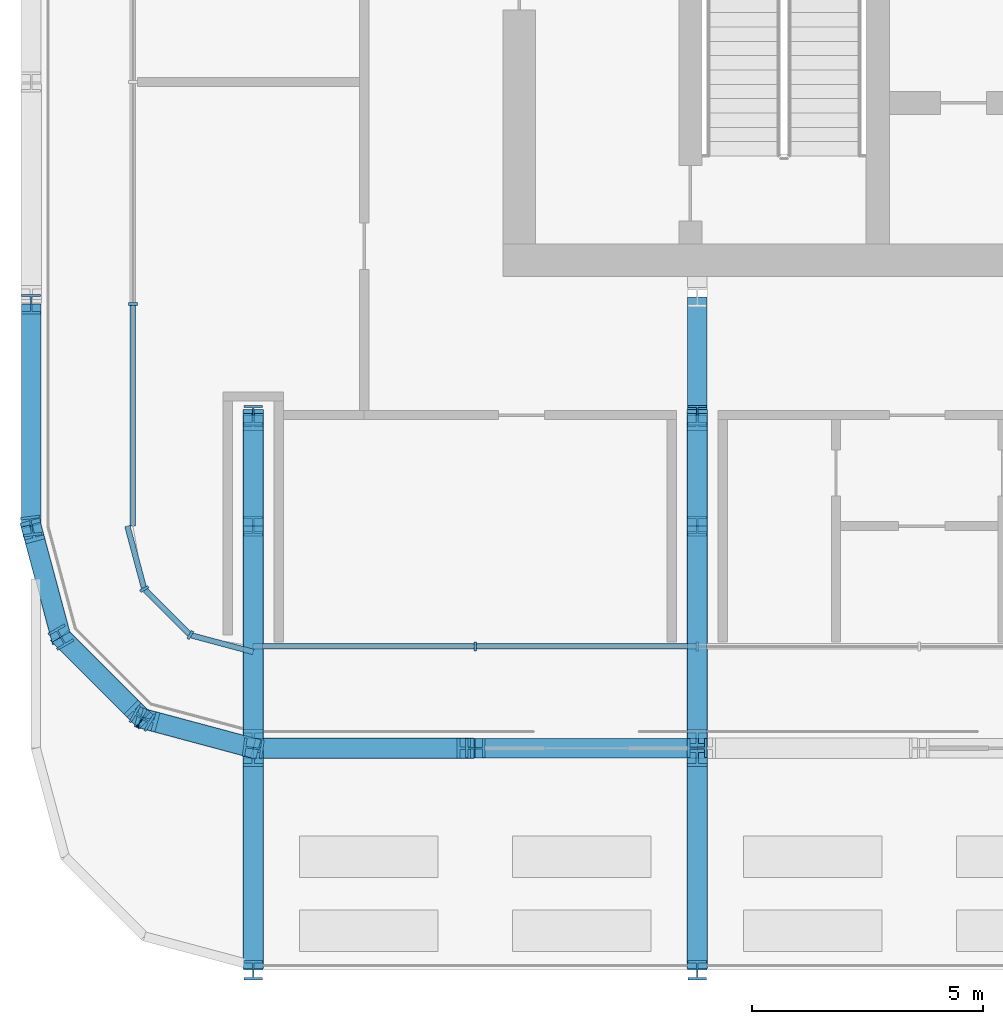
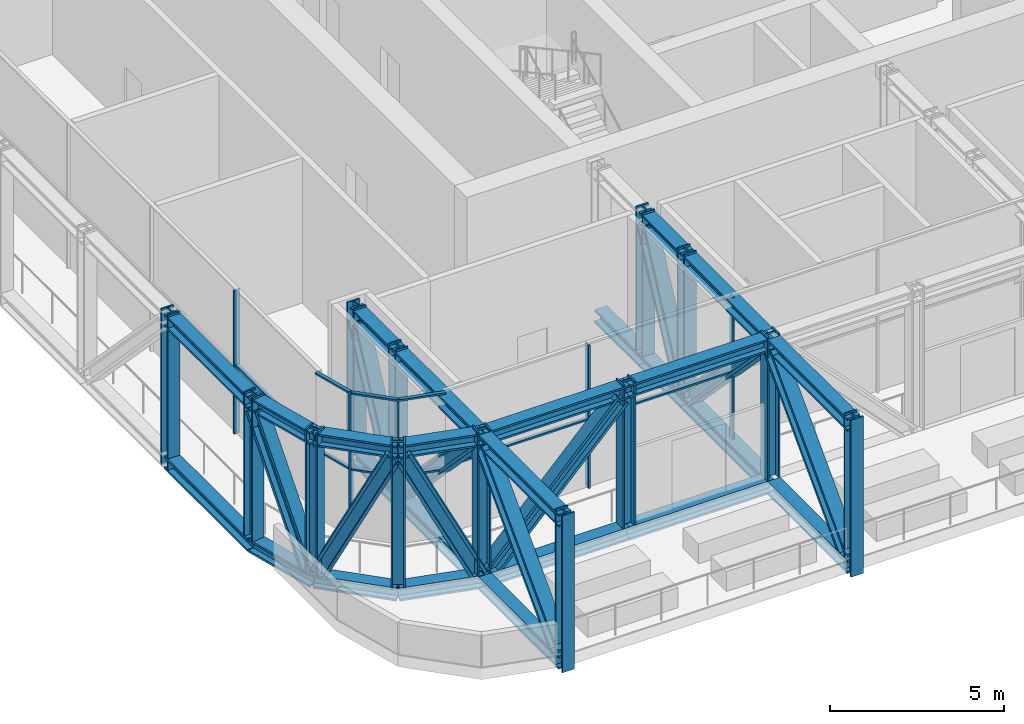
# One storey, part 1 of 22: 62 members, 3 elements without a shape of their own.
"""IFC4 building model written with IfcOpenShell, lengths in metres."""

from ifc_helpers import new_model, si_unit, direction, frame, origin, origin_2d, place, context, subcontext, project, spatial, rectangle, i_section, extrude, material, layer, layer_set, material_profile, profile_set, type_object, element, aggregate, save


model = new_model("IFC4")

# Units and contexts
model_context = context("Model", 3, precision=1e-05, world=origin(), true_north=direction((0.0, 1.0)))
body_context = subcontext(model_context, "Body", "Model", "MODEL_VIEW")
ifc_project = project(units=[si_unit("LENGTHUNIT", "METRE"), si_unit("AREAUNIT", "SQUARE_METRE"), si_unit("VOLUMEUNIT", "CUBIC_METRE"), si_unit("PLANEANGLEUNIT", "RADIAN"), si_unit("MASSUNIT", "GRAM", prefix="KILO")], contexts=[model_context])

# Site, building, storey
site_placement = place(None, origin())
site = spatial("IfcSite", under=ifc_project, at=site_placement, CompositionType="ELEMENT")
building_placement = place(site_placement, origin())
building = spatial("IfcBuilding", under=site, at=building_placement, Name="Madar Terraces", CompositionType="ELEMENT")
storey_placement = place(building_placement, frame((0.0, 0.0, 203.39990234375)))
storey = spatial("IfcBuildingStorey", under=building, at=storey_placement, Name="L53", CompositionType="ELEMENT", Elevation=203.39990234375)

# Members
ifc_material_1 = material(Name="Steel ASTM A992 Grade 50", Category="steel")
ifc_material_profile_1 = material_profile(ifc_material_1, i_section(OverallWidth=0.421630859375, OverallDepth=0.46484375, WebThickness=0.044921875, FlangeThickness=0.072509765625, at=origin_2d()), Name="W14x398")
ifc_profile_set_1 = profile_set([ifc_material_profile_1], Name="Steel ASTM A992 Grade 50")
member_type_1 = type_object("IfcMemberType", Name="BC7 W14x398", PredefinedType="CHORD", material=ifc_profile_set_1)
member_1_placement = place(storey_placement, frame((9.60009765625, 4.800048828125, -0.1875), z_axis=(1.0, 0.0, 0.0), x_axis=(0.0, 1.0, 0.0)))
element("IfcMember", 1, at=member_1_placement, inside=storey, type_object=member_type_1, Name="Exoskeleton truss ring bottom chord BC7", PredefinedType="CHORD", context=body_context, shape_type="SweptSolid", body=[
    extrude(i_section(OverallWidth=0.421630859375, OverallDepth=0.46484375, WebThickness=0.044921875, FlangeThickness=0.072509765625, at=origin_2d()), origin(), (0.0, 0.0, 1.0), 4.7998046875),
])
member_2_placement = place(storey_placement, frame((14.39990234375, 4.800048828125, -0.1875), z_axis=(1.0, 0.0, 0.0), x_axis=(0.0, 1.0, 0.0)))
element("IfcMember", 2, at=member_2_placement, inside=storey, type_object=member_type_1, Name="Exoskeleton truss ring bottom chord BC7", PredefinedType="CHORD", context=body_context, shape_type="SweptSolid", body=[
    extrude(i_section(OverallWidth=0.421630859375, OverallDepth=0.46484375, WebThickness=0.044921875, FlangeThickness=0.072509765625, at=origin_2d()), origin(), (0.0, 0.0, 1.0), 4.800048828125),
])
member_3_placement = place(storey_placement, frame((4.800048828125, 14.39990234375, -0.1875), z_axis=(0.0, -1.0, 0.0), x_axis=(1.0, 0.0, 0.0)))
element("IfcMember", 3, at=member_3_placement, inside=storey, type_object=member_type_1, Name="Exoskeleton truss ring bottom chord BC7", PredefinedType="CHORD", context=body_context, shape_type="SweptSolid", body=[
    extrude(i_section(OverallWidth=0.421630859375, OverallDepth=0.46484375, WebThickness=0.044921875, FlangeThickness=0.072509765625, at=origin_2d()), origin(), (0.0, 0.0, 1.0), 4.7998046875),
])
member_4_placement = place(storey_placement, frame((4.800048828125, 9.60009765625, -0.1875), z_axis=(0.258799930484, -0.965930947833, 0.0), x_axis=(0.965930947833, 0.258799930484, 0.0)))
element("IfcMember", 4, at=member_4_placement, inside=storey, type_object=member_type_1, Name="Exoskeleton truss ring bottom chord BC7", PredefinedType="CHORD", context=body_context, shape_type="SweptSolid", body=[
    extrude(i_section(OverallWidth=0.421630859375, OverallDepth=0.46484375, WebThickness=0.044921875, FlangeThickness=0.072509765625, at=origin_2d()), origin(), (0.0, 0.0, 1.0), 2.48486328125),
])
member_5_placement = place(storey_placement, frame((5.443115234375, 7.199951171875, -0.1875), z_axis=(0.707106781187, -0.707106781187, 0.0), x_axis=(0.707106781187, 0.707106781187, 0.0)))
element("IfcMember", 5, at=member_5_placement, inside=storey, type_object=member_type_1, Name="Exoskeleton truss ring bottom chord BC7", PredefinedType="CHORD", context=body_context, shape_type="SweptSolid", body=[
    extrude(i_section(OverallWidth=0.421630859375, OverallDepth=0.46484375, WebThickness=0.044921875, FlangeThickness=0.072509765625, at=origin_2d()), origin(), (0.0, 0.0, 1.0), 2.484619140625),
])
member_6_placement = place(storey_placement, frame((7.199951171875, 5.443115234375, -0.1875), z_axis=(0.965930947833, -0.258799930484, 0.0), x_axis=(0.258799930484, 0.965930947833, 0.0)))
element("IfcMember", 6, at=member_6_placement, inside=storey, type_object=member_type_1, Name="Exoskeleton truss ring bottom chord BC7", PredefinedType="CHORD", context=body_context, shape_type="SweptSolid", body=[
    extrude(i_section(OverallWidth=0.421630859375, OverallDepth=0.46484375, WebThickness=0.044921875, FlangeThickness=0.072509765625, at=origin_2d()), origin(), (0.0, 0.0, 1.0), 2.48486328125),
])
member_7_placement = place(storey_placement, frame((9.60009765625, 0.0, -0.1875), z_axis=(0.0, 1.0, 0.0), x_axis=(-1.0, 0.0, 0.0)))
element("IfcMember", 7, at=member_7_placement, inside=storey, type_object=member_type_1, Name="Exoskeleton truss cross S9.6 bottom chord BC7", PredefinedType="CHORD", context=body_context, shape_type="SweptSolid", body=[
    extrude(i_section(OverallWidth=0.421630859375, OverallDepth=0.46484375, WebThickness=0.044921875, FlangeThickness=0.072509765625, at=origin_2d()), origin(), (0.0, 0.0, 1.0), 4.589111328125),
])
member_8_placement = place(storey_placement, frame((9.60009765625, 5.0107421875, -0.1875), z_axis=(0.0, 1.0, 0.0), x_axis=(-1.0, 0.0, 0.0)))
element("IfcMember", 8, at=member_8_placement, inside=storey, type_object=member_type_1, Name="Exoskeleton truss cross S9.6 bottom chord BC7", PredefinedType="CHORD", context=body_context, shape_type="SweptSolid", body=[
    extrude(i_section(OverallWidth=0.421630859375, OverallDepth=0.46484375, WebThickness=0.044921875, FlangeThickness=0.072509765625, at=origin_2d()), origin(), (0.0, 0.0, 1.0), 4.58935546875),
])
member_9_placement = place(storey_placement, frame((9.60009765625, 9.60009765625, -0.1875), z_axis=(0.0, 1.0, 0.0), x_axis=(-1.0, 0.0, 0.0)))
element("IfcMember", 9, at=member_9_placement, inside=storey, type_object=member_type_1, Name="Exoskeleton truss cross S9.6 bottom chord BC7", PredefinedType="CHORD", context=body_context, shape_type="SweptSolid", body=[
    extrude(i_section(OverallWidth=0.421630859375, OverallDepth=0.46484375, WebThickness=0.044921875, FlangeThickness=0.072509765625, at=origin_2d()), origin(), (0.0, 0.0, 1.0), 2.39990234375),
])
member_10_placement = place(storey_placement, frame((19.199951171875, 0.0, -0.1875), z_axis=(0.0, 1.0, 0.0), x_axis=(-1.0, 0.0, 0.0)))
element("IfcMember", 10, at=member_10_placement, inside=storey, type_object=member_type_1, Name="Exoskeleton truss cross S19.2 bottom chord BC7", PredefinedType="CHORD", context=body_context, shape_type="SweptSolid", body=[
    extrude(i_section(OverallWidth=0.421630859375, OverallDepth=0.46484375, WebThickness=0.044921875, FlangeThickness=0.072509765625, at=origin_2d()), origin(), (0.0, 0.0, 1.0), 4.589111328125),
])
member_11_placement = place(storey_placement, frame((19.199951171875, 5.0107421875, -0.1875), z_axis=(0.0, 1.0, 0.0), x_axis=(-1.0, 0.0, 0.0)))
element("IfcMember", 11, at=member_11_placement, inside=storey, type_object=member_type_1, Name="Exoskeleton truss cross S19.2 bottom chord BC7", PredefinedType="CHORD", context=body_context, shape_type="SweptSolid", body=[
    extrude(i_section(OverallWidth=0.421630859375, OverallDepth=0.46484375, WebThickness=0.044921875, FlangeThickness=0.072509765625, at=origin_2d()), origin(), (0.0, 0.0, 1.0), 4.58935546875),
])
member_12_placement = place(storey_placement, frame((19.199951171875, 9.60009765625, -0.1875), z_axis=(0.0, 1.0, 0.0), x_axis=(-1.0, 0.0, 0.0)))
element("IfcMember", 12, at=member_12_placement, inside=storey, type_object=member_type_1, Name="Exoskeleton truss cross S19.2 bottom chord BC7", PredefinedType="CHORD", context=body_context, shape_type="SweptSolid", body=[
    extrude(i_section(OverallWidth=0.421630859375, OverallDepth=0.46484375, WebThickness=0.044921875, FlangeThickness=0.072509765625, at=origin_2d()), origin(), (0.0, 0.0, 1.0), 2.39990234375),
])
member_13_placement = place(storey_placement, frame((19.199951171875, 12.0, -0.1875), z_axis=(0.0, 1.0, 0.0), x_axis=(-1.0, 0.0, 0.0)))
element("IfcMember", 13, at=member_13_placement, inside=storey, type_object=member_type_1, Name="Exoskeleton truss cross S19.2 bottom chord BC7", PredefinedType="CHORD", context=body_context, shape_type="SweptSolid", body=[
    extrude(i_section(OverallWidth=0.421630859375, OverallDepth=0.46484375, WebThickness=0.044921875, FlangeThickness=0.072509765625, at=origin_2d()), origin(), (0.0, 0.0, 1.0), 2.550048828125),
])

# Curtain wall, members
ifc_material_2 = material(Name="Glass, ceramic frit dark grey, with black aluminium frame", Category="aluminium")
ifc_layer = layer(ifc_material_2, 0.199951171875)
ifc_layer_set = layer_set([ifc_layer], Name="Facade curtain wall, tall glazing")
curtain_wall_type = type_object("IfcCurtainWallType", Name="Facade curtain wall, tall glazing", PredefinedType="NOTDEFINED", material=ifc_layer_set)
curtain_wall_1_placement = place(storey_placement, origin())
curtain_wall_1 = element("IfcCurtainWall", 14, at=curtain_wall_1_placement, inside=storey, type_object=curtain_wall_type, Name="Outer skin curtain wall south bay 1", PredefinedType="NOTDEFINED")
ifc_material_3 = material(Name="Aluminium, black anodised", Category="aluminium")
ifc_material_profile_2 = material_profile(ifc_material_3, rectangle(XDim=0.199951171875, YDim=0.06005859375, at=origin_2d()), Name="Facade mullion 60x200")
ifc_profile_set_2 = profile_set([ifc_material_profile_2], Name="Aluminium, black anodised")
member_type_2 = type_object("IfcMemberType", Name="Facade mullion 60x200", PredefinedType="MULLION", material=ifc_profile_set_2)
member_14_placement = place(storey_placement, frame((14.39990234375, 7.0, 0.0), z_axis=(0.0, 0.0, 1.0), x_axis=(0.0, 1.0, 0.0)))
member_14 = element("IfcMember", 15, at=member_14_placement, type_object=member_type_2, Name="Mullion 1", PredefinedType="MULLION", context=body_context, shape_type="SweptSolid", body=[
    extrude(rectangle(XDim=0.199951171875, YDim=0.06005859375, at=origin_2d()), origin(), (0.0, 0.0, 1.0), 5.0400390625),
])
member_15_placement = place(storey_placement, frame((19.199951171875, 7.0, 0.0), z_axis=(0.0, 0.0, 1.0), x_axis=(0.0, 1.0, 0.0)))
member_15 = element("IfcMember", 16, at=member_15_placement, type_object=member_type_2, Name="Mullion 2", PredefinedType="MULLION", context=body_context, shape_type="SweptSolid", body=[
    extrude(rectangle(XDim=0.199951171875, YDim=0.06005859375, at=origin_2d()), origin(), (0.0, 0.0, 1.0), 5.0400390625),
])

# Curtain wall, member
curtain_wall_2_placement = place(storey_placement, origin())
curtain_wall_2 = element("IfcCurtainWall", 17, at=curtain_wall_2_placement, inside=storey, type_object=curtain_wall_type, Name="Outer skin curtain wall west bay 1", PredefinedType="NOTDEFINED")
member_16_placement = place(storey_placement, frame((7.0, 14.39990234375, 0.0), z_axis=(0.0, 0.0, 1.0), x_axis=(1.0, 0.0, 0.0)))
member_16 = element("IfcMember", 18, at=member_16_placement, type_object=member_type_2, Name="Mullion 7", PredefinedType="MULLION", context=body_context, shape_type="SweptSolid", body=[
    extrude(rectangle(XDim=0.199951171875, YDim=0.06005859375, at=origin_2d()), origin(), (0.0, 0.0, 1.0), 5.0400390625),
])

# Curtain wall, members
curtain_wall_3_placement = place(storey_placement, origin())
curtain_wall_3 = element("IfcCurtainWall", 19, at=curtain_wall_3_placement, inside=storey, type_object=curtain_wall_type, Name="Outer skin curtain wall south-west corner", PredefinedType="NOTDEFINED")
member_17_placement = place(storey_placement, frame((7.244384765625, 8.239990234375, 0.0), z_axis=(0.0, 0.0, 1.0), x_axis=(0.866025386925, 0.500000029202, 0.0)))
member_17 = element("IfcMember", 20, at=member_17_placement, type_object=member_type_2, Name="Mullion 1", PredefinedType="MULLION", context=body_context, shape_type="SweptSolid", body=[
    extrude(rectangle(XDim=0.199951171875, YDim=0.06005859375, at=origin_2d()), origin(), (0.0, 0.0, 1.0), 5.0400390625),
])
member_18_placement = place(storey_placement, frame((8.239990234375, 7.244384765625, 0.0), z_axis=(0.0, 0.0, 1.0), x_axis=(0.500000029202, 0.866025386925, 0.0)))
member_18 = element("IfcMember", 21, at=member_18_placement, type_object=member_type_2, Name="Mullion 2", PredefinedType="MULLION", context=body_context, shape_type="SweptSolid", body=[
    extrude(rectangle(XDim=0.199951171875, YDim=0.06005859375, at=origin_2d()), origin(), (0.0, 0.0, 1.0), 5.0400390625),
])

# Member
ifc_material_4 = material(Name="Aluminium, black anodised", Category="aluminium")
ifc_material_profile_3 = material_profile(ifc_material_4, rectangle(XDim=0.1201171875, YDim=0.06005859375, at=origin_2d()), Name="Facade transom 60x120")
ifc_profile_set_3 = profile_set([ifc_material_profile_3], Name="Aluminium, black anodised")
member_type_3 = type_object("IfcMemberType", Name="Facade transom 60x120", PredefinedType="USERDEFINED", material=ifc_profile_set_3)
member_19_placement = place(storey_placement, frame((9.60009765625, 7.0, 2.400146484375), z_axis=(1.0, 0.0, 0.0), x_axis=(0.0, 1.0, 0.0)))
member_19 = element("IfcMember", 22, at=member_19_placement, type_object=member_type_3, Name="Transom 2", ObjectType="TRANSOM", PredefinedType="USERDEFINED", context=body_context, shape_type="SweptSolid", body=[
    extrude(rectangle(XDim=0.1201171875, YDim=0.06005859375, at=origin_2d()), origin(), (0.0, 0.0, 1.0), 4.77001953125),
])

member_20_placement = place(storey_placement, frame((14.429931640625, 7.0, 2.400146484375), z_axis=(1.0, 0.0, 0.0), x_axis=(0.0, 1.0, 0.0)))
member_20 = element("IfcMember", 23, at=member_20_placement, type_object=member_type_3, Name="Transom 3", ObjectType="TRANSOM", PredefinedType="USERDEFINED", context=body_context, shape_type="SweptSolid", body=[
    extrude(rectangle(XDim=0.1201171875, YDim=0.06005859375, at=origin_2d()), origin(), (0.0, 0.0, 1.0), 4.739990234375),
])

aggregate(curtain_wall_1, [member_14, member_15, member_19, member_20])

member_21_placement = place(storey_placement, frame((7.0, 14.3701171875, 2.400146484375), z_axis=(0.0, -1.0, 0.0), x_axis=(1.0, 0.0, 0.0)))
member_21 = element("IfcMember", 24, at=member_21_placement, type_object=member_type_3, Name="Transom 11", ObjectType="TRANSOM", PredefinedType="USERDEFINED", context=body_context, shape_type="SweptSolid", body=[
    extrude(rectangle(XDim=0.1201171875, YDim=0.06005859375, at=origin_2d()), origin(), (0.0, 0.0, 1.0), 4.77001953125),
])

aggregate(curtain_wall_2, [member_16, member_21])

member_22_placement = place(storey_placement, frame((6.8798828125, 9.60009765625, 5.070068359375), z_axis=(0.258842352791, -0.965919580711, 0.0), x_axis=(0.965919580711, 0.258842352791, 0.0)))
member_22 = element("IfcMember", 25, at=member_22_placement, type_object=member_type_3, Name="Transom 1", ObjectType="TRANSOM", PredefinedType="USERDEFINED", context=body_context, shape_type="SweptSolid", body=[
    extrude(rectangle(XDim=0.1201171875, YDim=0.06005859375, at=origin_2d()), origin(), (0.0, 0.0, 1.0), 1.3779296875),
])

member_23_placement = place(storey_placement, frame((6.8798828125, 9.60009765625, 2.400146484375), z_axis=(0.258842352791, -0.965919580711, 0.0), x_axis=(0.965919580711, 0.258842352791, 0.0)))
member_23 = element("IfcMember", 26, at=member_23_placement, type_object=member_type_3, Name="Transom 2", ObjectType="TRANSOM", PredefinedType="USERDEFINED", context=body_context, shape_type="SweptSolid", body=[
    extrude(rectangle(XDim=0.1201171875, YDim=0.06005859375, at=origin_2d()), origin(), (0.0, 0.0, 1.0), 1.3779296875),
])

member_24_placement = place(storey_placement, frame((7.265625, 8.21875, 5.070068359375), z_axis=(0.707106781187, -0.707106781187, 0.0), x_axis=(0.707106781187, 0.707106781187, 0.0)))
member_24 = element("IfcMember", 27, at=member_24_placement, type_object=member_type_3, Name="Transom 3", ObjectType="TRANSOM", PredefinedType="USERDEFINED", context=body_context, shape_type="SweptSolid", body=[
    extrude(rectangle(XDim=0.1201171875, YDim=0.06005859375, at=origin_2d()), origin(), (0.0, 0.0, 1.0), 1.347900390625),
])

member_25_placement = place(storey_placement, frame((7.265625, 8.21875, 2.400146484375), z_axis=(0.707106781187, -0.707106781187, 0.0), x_axis=(0.707106781187, 0.707106781187, 0.0)))
member_25 = element("IfcMember", 28, at=member_25_placement, type_object=member_type_3, Name="Transom 4", ObjectType="TRANSOM", PredefinedType="USERDEFINED", context=body_context, shape_type="SweptSolid", body=[
    extrude(rectangle(XDim=0.1201171875, YDim=0.06005859375, at=origin_2d()), origin(), (0.0, 0.0, 1.0), 1.347900390625),
])

member_26_placement = place(storey_placement, frame((8.26904296875, 7.236572265625, 5.070068359375), z_axis=(0.965919580711, -0.258842352791, 0.0), x_axis=(0.258842352791, 0.965919580711, 0.0)))
member_26 = element("IfcMember", 29, at=member_26_placement, type_object=member_type_3, Name="Transom 5", ObjectType="TRANSOM", PredefinedType="USERDEFINED", context=body_context, shape_type="SweptSolid", body=[
    extrude(rectangle(XDim=0.1201171875, YDim=0.06005859375, at=origin_2d()), origin(), (0.0, 0.0, 1.0), 1.3779296875),
])

member_27_placement = place(storey_placement, frame((8.26904296875, 7.236572265625, 2.400146484375), z_axis=(0.965919580711, -0.258842352791, 0.0), x_axis=(0.258842352791, 0.965919580711, 0.0)))
member_27 = element("IfcMember", 30, at=member_27_placement, type_object=member_type_3, Name="Transom 6", ObjectType="TRANSOM", PredefinedType="USERDEFINED", context=body_context, shape_type="SweptSolid", body=[
    extrude(rectangle(XDim=0.1201171875, YDim=0.06005859375, at=origin_2d()), origin(), (0.0, 0.0, 1.0), 1.3779296875),
])

aggregate(curtain_wall_3, [member_17, member_22, member_23, member_18, member_24, member_25, member_26, member_27])

# Members
ifc_material_5 = material(Name="Steel ASTM A992 Grade 50", Category="steel")
ifc_material_profile_4 = material_profile(ifc_material_5, i_section(OverallWidth=0.41650390625, OverallDepth=0.444580078125, WebThickness=0.0390625, FlangeThickness=0.062744140625, at=origin_2d()), Name="W14x342")
ifc_profile_set_4 = profile_set([ifc_material_profile_4], Name="Steel ASTM A992 Grade 50")
member_type_4 = type_object("IfcMemberType", Name="TC7 W14x342", PredefinedType="CHORD", material=ifc_profile_set_4)
member_28_placement = place(storey_placement, frame((9.60009765625, 4.800048828125, 4.807861328125), z_axis=(1.0, 0.0, 0.0), x_axis=(0.0, 1.0, 0.0)))
element("IfcMember", 31, at=member_28_placement, inside=storey, type_object=member_type_4, Name="Exoskeleton truss ring top chord TC7", PredefinedType="CHORD", context=body_context, shape_type="SweptSolid", body=[
    extrude(i_section(OverallWidth=0.41650390625, OverallDepth=0.444580078125, WebThickness=0.0390625, FlangeThickness=0.062744140625, at=origin_2d()), origin(), (0.0, 0.0, 1.0), 4.7998046875),
])
member_29_placement = place(storey_placement, frame((14.39990234375, 4.800048828125, 4.807861328125), z_axis=(1.0, 0.0, 0.0), x_axis=(0.0, 1.0, 0.0)))
element("IfcMember", 32, at=member_29_placement, inside=storey, type_object=member_type_4, Name="Exoskeleton truss ring top chord TC7", PredefinedType="CHORD", context=body_context, shape_type="SweptSolid", body=[
    extrude(i_section(OverallWidth=0.41650390625, OverallDepth=0.444580078125, WebThickness=0.0390625, FlangeThickness=0.062744140625, at=origin_2d()), origin(), (0.0, 0.0, 1.0), 4.800048828125),
])
member_30_placement = place(storey_placement, frame((4.800048828125, 14.39990234375, 4.807861328125), z_axis=(0.0, -1.0, 0.0), x_axis=(1.0, 0.0, 0.0)))
element("IfcMember", 33, at=member_30_placement, inside=storey, type_object=member_type_4, Name="Exoskeleton truss ring top chord TC7", PredefinedType="CHORD", context=body_context, shape_type="SweptSolid", body=[
    extrude(i_section(OverallWidth=0.41650390625, OverallDepth=0.444580078125, WebThickness=0.0390625, FlangeThickness=0.062744140625, at=origin_2d()), origin(), (0.0, 0.0, 1.0), 4.7998046875),
])
member_31_placement = place(storey_placement, frame((4.800048828125, 9.60009765625, 4.807861328125), z_axis=(0.258799930484, -0.965930947833, 0.0), x_axis=(0.965930947833, 0.258799930484, 0.0)))
element("IfcMember", 34, at=member_31_placement, inside=storey, type_object=member_type_4, Name="Exoskeleton truss ring top chord TC7", PredefinedType="CHORD", context=body_context, shape_type="SweptSolid", body=[
    extrude(i_section(OverallWidth=0.41650390625, OverallDepth=0.444580078125, WebThickness=0.0390625, FlangeThickness=0.062744140625, at=origin_2d()), origin(), (0.0, 0.0, 1.0), 2.48486328125),
])
member_32_placement = place(storey_placement, frame((5.443115234375, 7.199951171875, 4.807861328125), z_axis=(0.707106781187, -0.707106781187, 0.0), x_axis=(0.707106781187, 0.707106781187, 0.0)))
element("IfcMember", 35, at=member_32_placement, inside=storey, type_object=member_type_4, Name="Exoskeleton truss ring top chord TC7", PredefinedType="CHORD", context=body_context, shape_type="SweptSolid", body=[
    extrude(i_section(OverallWidth=0.41650390625, OverallDepth=0.444580078125, WebThickness=0.0390625, FlangeThickness=0.062744140625, at=origin_2d()), origin(), (0.0, 0.0, 1.0), 2.484619140625),
])
member_33_placement = place(storey_placement, frame((7.199951171875, 5.443115234375, 4.807861328125), z_axis=(0.965930947833, -0.258799930484, 0.0), x_axis=(0.258799930484, 0.965930947833, 0.0)))
element("IfcMember", 36, at=member_33_placement, inside=storey, type_object=member_type_4, Name="Exoskeleton truss ring top chord TC7", PredefinedType="CHORD", context=body_context, shape_type="SweptSolid", body=[
    extrude(i_section(OverallWidth=0.41650390625, OverallDepth=0.444580078125, WebThickness=0.0390625, FlangeThickness=0.062744140625, at=origin_2d()), origin(), (0.0, 0.0, 1.0), 2.48486328125),
])
for number, where, z_axis, x_axis, name in (
    (37, (9.60009765625, 0.0, 4.807861328125), (0.0, 1.0, 0.0), (-1.0, 0.0, 0.0), "Exoskeleton truss cross S9.6 top chord TC7"),
    (38, (9.60009765625, 5.00830078125, 4.807861328125), (0.0, 1.0, 0.0), (-1.0, 0.0, 0.0), "Exoskeleton truss cross S9.6 top chord TC7"),
):
    element("IfcMember", number, at=place(storey_placement, frame(where, z_axis=z_axis, x_axis=x_axis)), inside=storey, type_object=member_type_4, Name=name, PredefinedType="CHORD", context=body_context, shape_type="SweptSolid", body=[
        extrude(i_section(OverallWidth=0.41650390625, OverallDepth=0.444580078125, WebThickness=0.0390625, FlangeThickness=0.062744140625, at=origin_2d()), origin(), (0.0, 0.0, 1.0), 4.591796875),
    ])
member_34_placement = place(storey_placement, frame((9.60009765625, 9.60009765625, 4.807861328125), z_axis=(0.0, 1.0, 0.0), x_axis=(-1.0, 0.0, 0.0)))
element("IfcMember", 39, at=member_34_placement, inside=storey, type_object=member_type_4, Name="Exoskeleton truss cross S9.6 top chord TC7", PredefinedType="CHORD", context=body_context, shape_type="SweptSolid", body=[
    extrude(i_section(OverallWidth=0.41650390625, OverallDepth=0.444580078125, WebThickness=0.0390625, FlangeThickness=0.062744140625, at=origin_2d()), origin(), (0.0, 0.0, 1.0), 2.39990234375),
])
for number, where, z_axis, x_axis, name in (
    (40, (19.199951171875, 0.0, 4.807861328125), (0.0, 1.0, 0.0), (-1.0, 0.0, 0.0), "Exoskeleton truss cross S19.2 top chord TC7"),
    (41, (19.199951171875, 5.00830078125, 4.807861328125), (0.0, 1.0, 0.0), (-1.0, 0.0, 0.0), "Exoskeleton truss cross S19.2 top chord TC7"),
):
    element("IfcMember", number, at=place(storey_placement, frame(where, z_axis=z_axis, x_axis=x_axis)), inside=storey, type_object=member_type_4, Name=name, PredefinedType="CHORD", context=body_context, shape_type="SweptSolid", body=[
        extrude(i_section(OverallWidth=0.41650390625, OverallDepth=0.444580078125, WebThickness=0.0390625, FlangeThickness=0.062744140625, at=origin_2d()), origin(), (0.0, 0.0, 1.0), 4.591796875),
    ])
member_35_placement = place(storey_placement, frame((19.199951171875, 9.60009765625, 4.807861328125), z_axis=(0.0, 1.0, 0.0), x_axis=(-1.0, 0.0, 0.0)))
element("IfcMember", 42, at=member_35_placement, inside=storey, type_object=member_type_4, Name="Exoskeleton truss cross S19.2 top chord TC7", PredefinedType="CHORD", context=body_context, shape_type="SweptSolid", body=[
    extrude(i_section(OverallWidth=0.41650390625, OverallDepth=0.444580078125, WebThickness=0.0390625, FlangeThickness=0.062744140625, at=origin_2d()), origin(), (0.0, 0.0, 1.0), 2.39990234375),
])
ifc_material_6 = material(Name="Steel ASTM A992 Grade 50", Category="steel")
ifc_material_profile_5 = material_profile(ifc_material_6, i_section(OverallWidth=0.436767578125, OverallDepth=0.51318359375, WebThickness=0.060546875, FlangeThickness=0.096923828125, at=origin_2d()), Name="W14x550")
ifc_profile_set_5 = profile_set([ifc_material_profile_5], Name="Steel ASTM A992 Grade 50")
member_type_5 = type_object("IfcMemberType", Name="TD7 W14x550", PredefinedType="BRACE", material=ifc_profile_set_5)
member_36_placement = place(storey_placement, frame((9.8232421875, 4.800048828125, 0.044921875), z_axis=(0.692873921852, 0.0, 0.721058755177), x_axis=(0.0, 1.0, 0.0)))
element("IfcMember", 43, at=member_36_placement, inside=storey, type_object=member_type_5, Name="Exoskeleton truss ring diagonal TD7", PredefinedType="BRACE", context=body_context, shape_type="SweptSolid", body=[
    extrude(i_section(OverallWidth=0.436767578125, OverallDepth=0.51318359375, WebThickness=0.060546875, FlangeThickness=0.096923828125, at=origin_2d()), origin(), (0.0, 0.0, 1.0), 6.29736328125),
])
for number, where, z_axis, x_axis, name in (
    (44, (4.82861328125, 9.4931640625, 4.585693359375), (0.115249660077, -0.430140230905, -0.895375283112), (0.965929232481, 0.258806332687, 0.0), "Exoskeleton truss ring diagonal TD7"),
    (45, (5.52490234375, 7.1181640625, 0.044921875), (0.314889147406, -0.314889147406, 0.895371235685), (0.707106781187, 0.707106781187, 0.0), "Exoskeleton truss ring diagonal TD7"),
    (46, (7.306884765625, 5.41455078125, 4.585693359375), (0.430137843906, -0.115297161293, -0.89537031436), (0.258907193658, 0.965902202644, 0.0), "Exoskeleton truss ring diagonal TD7"),
):
    element("IfcMember", number, at=place(storey_placement, frame(where, z_axis=z_axis, x_axis=x_axis)), inside=storey, type_object=member_type_5, Name=name, PredefinedType="BRACE", context=body_context, shape_type="SweptSolid", body=[
        extrude(i_section(OverallWidth=0.436767578125, OverallDepth=0.51318359375, WebThickness=0.060546875, FlangeThickness=0.096923828125, at=origin_2d()), origin(), (0.0, 0.0, 1.0), 5.0712890625),
    ])
for number, where, z_axis, x_axis, name in (
    (47, (9.60009765625, 0.223388671875, 0.044921875), (0.0, 0.692853764203, 0.721078124359), (-1.0, 0.0, 0.0), "Exoskeleton truss cross S9.6 diagonal TD7"),
    (48, (9.60009765625, 5.013671875, 4.585693359375), (0.0, 0.692853764203, -0.721078124359), (-1.0, 0.0, 0.0), "Exoskeleton truss cross S9.6 diagonal TD7"),
):
    element("IfcMember", number, at=place(storey_placement, frame(where, z_axis=z_axis, x_axis=x_axis)), inside=storey, type_object=member_type_5, Name=name, PredefinedType="BRACE", context=body_context, shape_type="SweptSolid", body=[
        extrude(i_section(OverallWidth=0.436767578125, OverallDepth=0.51318359375, WebThickness=0.060546875, FlangeThickness=0.096923828125, at=origin_2d()), origin(), (0.0, 0.0, 1.0), 6.297119140625),
    ])
member_37_placement = place(storey_placement, frame((9.60009765625, 9.711669921875, 0.044921875), z_axis=(0.0, 0.433065047911, 0.901362670781), x_axis=(-1.0, 0.0, 0.0)))
element("IfcMember", 49, at=member_37_placement, inside=storey, type_object=member_type_5, Name="Exoskeleton truss cross S9.6 diagonal TD7", PredefinedType="BRACE", context=body_context, shape_type="SweptSolid", body=[
    extrude(i_section(OverallWidth=0.436767578125, OverallDepth=0.51318359375, WebThickness=0.060546875, FlangeThickness=0.096923828125, at=origin_2d()), origin(), (0.0, 0.0, 1.0), 5.03759765625),
])
for number, where, z_axis, x_axis, name in (
    (50, (19.199951171875, 0.223388671875, 0.044921875), (0.0, 0.692853764203, 0.721078124359), (-1.0, 0.0, 0.0), "Exoskeleton truss cross S19.2 diagonal TD7"),
    (51, (19.199951171875, 5.013671875, 4.585693359375), (0.0, 0.692853764203, -0.721078124359), (-1.0, 0.0, 0.0), "Exoskeleton truss cross S19.2 diagonal TD7"),
):
    element("IfcMember", number, at=place(storey_placement, frame(where, z_axis=z_axis, x_axis=x_axis)), inside=storey, type_object=member_type_5, Name=name, PredefinedType="BRACE", context=body_context, shape_type="SweptSolid", body=[
        extrude(i_section(OverallWidth=0.436767578125, OverallDepth=0.51318359375, WebThickness=0.060546875, FlangeThickness=0.096923828125, at=origin_2d()), origin(), (0.0, 0.0, 1.0), 6.297119140625),
    ])
member_38_placement = place(storey_placement, frame((19.199951171875, 9.711669921875, 0.044921875), z_axis=(0.0, 0.433065047911, 0.901362670781), x_axis=(-1.0, 0.0, 0.0)))
element("IfcMember", 52, at=member_38_placement, inside=storey, type_object=member_type_5, Name="Exoskeleton truss cross S19.2 diagonal TD7", PredefinedType="BRACE", context=body_context, shape_type="SweptSolid", body=[
    extrude(i_section(OverallWidth=0.436767578125, OverallDepth=0.51318359375, WebThickness=0.060546875, FlangeThickness=0.096923828125, at=origin_2d()), origin(), (0.0, 0.0, 1.0), 5.03759765625),
])
ifc_material_7 = material(Name="Steel ASTM A992 Grade 50", Category="steel")
ifc_material_profile_6 = material_profile(ifc_material_7, i_section(OverallWidth=0.408935546875, OverallDepth=0.424072265625, WebThickness=0.03271484375, FlangeThickness=0.052490234375, at=origin_2d()), Name="W14x283")
ifc_profile_set_6 = profile_set([ifc_material_profile_6], Name="Steel ASTM A992 Grade 50")
member_type_6 = type_object("IfcMemberType", Name="TV7 W14x283", PredefinedType="POST", material=ifc_profile_set_6)
for number, where, z_axis, x_axis, name in (
    (53, (9.60009765625, 4.800048828125, 0.044921875), (0.0, 0.0, 1.0), (0.130526174916, 0.991444863652, 0.0), "Exoskeleton truss ring post TV7"),
    (54, (14.39990234375, 4.800048828125, 0.044921875), (0.0, 0.0, 1.0), (0.0, 1.0, 0.0), "Exoskeleton truss ring post TV7"),
    (55, (19.199951171875, 4.800048828125, 0.044921875), (0.0, 0.0, 1.0), (0.0, 1.0, 0.0), "Exoskeleton truss ring post TV7"),
):
    element("IfcMember", number, at=place(storey_placement, frame(where, z_axis=z_axis, x_axis=x_axis)), inside=storey, type_object=member_type_6, Name=name, PredefinedType="POST", context=body_context, shape_type="SweptSolid", body=[
        extrude(i_section(OverallWidth=0.408935546875, OverallDepth=0.424072265625, WebThickness=0.03271484375, FlangeThickness=0.052490234375, at=origin_2d()), origin(), (0.0, 0.0, 1.0), 5.05517578125),
    ])
member_39_placement = place(storey_placement, frame((4.800048828125, 14.39990234375, -0.419921875), z_axis=(0.0, 0.0, 1.0), x_axis=(1.0, 0.0, 0.0)))
element("IfcMember", 56, at=member_39_placement, inside=storey, type_object=member_type_6, Name="Exoskeleton truss ring post TV7", PredefinedType="POST", context=body_context, shape_type="SweptSolid", body=[
    extrude(i_section(OverallWidth=0.408935546875, OverallDepth=0.424072265625, WebThickness=0.03271484375, FlangeThickness=0.052490234375, at=origin_2d()), origin(), (0.0, 0.0, 1.0), 5.52001953125),
])
for number, where, z_axis, x_axis, name in (
    (57, (4.800048828125, 9.60009765625, 0.044921875), (0.0, 0.0, 1.0), (0.991444863652, 0.130526174916, 0.0), "Exoskeleton truss ring post TV7"),
    (58, (5.443115234375, 7.199951171875, 0.044921875), (0.0, 0.0, 1.0), (0.866025412511, 0.499999984885, 0.0), "Exoskeleton truss ring post TV7"),
    (59, (7.199951171875, 5.443115234375, 0.044921875), (0.0, 0.0, 1.0), (0.499999984885, 0.866025412511, 0.0), "Exoskeleton truss ring post TV7"),
):
    element("IfcMember", number, at=place(storey_placement, frame(where, z_axis=z_axis, x_axis=x_axis)), inside=storey, type_object=member_type_6, Name=name, PredefinedType="POST", context=body_context, shape_type="SweptSolid", body=[
        extrude(i_section(OverallWidth=0.408935546875, OverallDepth=0.424072265625, WebThickness=0.03271484375, FlangeThickness=0.052490234375, at=origin_2d()), origin(), (0.0, 0.0, 1.0), 5.05517578125),
    ])
member_40_placement = place(storey_placement, frame((9.60009765625, 0.0, -0.419921875), z_axis=(0.0, 0.0, 1.0), x_axis=(-1.0, 0.0, 0.0)))
element("IfcMember", 60, at=member_40_placement, inside=storey, type_object=member_type_6, Name="Exoskeleton truss cross S9.6 post TV7", PredefinedType="POST", context=body_context, shape_type="SweptSolid", body=[
    extrude(i_section(OverallWidth=0.408935546875, OverallDepth=0.424072265625, WebThickness=0.03271484375, FlangeThickness=0.052490234375, at=origin_2d()), origin(), (0.0, 0.0, 1.0), 5.52001953125),
])
for number, where, z_axis, x_axis, name in (
    (61, (9.60009765625, 9.60009765625, 0.044921875), (0.0, 0.0, 1.0), (-1.0, 0.0, 0.0), "Exoskeleton truss cross S9.6 post TV7"),
    (62, (9.60009765625, 12.0, 0.044921875), (0.0, 0.0, 1.0), (-1.0, 0.0, 0.0), "Exoskeleton truss cross S9.6 post TV7"),
):
    element("IfcMember", number, at=place(storey_placement, frame(where, z_axis=z_axis, x_axis=x_axis)), inside=storey, type_object=member_type_6, Name=name, PredefinedType="POST", context=body_context, shape_type="SweptSolid", body=[
        extrude(i_section(OverallWidth=0.408935546875, OverallDepth=0.424072265625, WebThickness=0.03271484375, FlangeThickness=0.052490234375, at=origin_2d()), origin(), (0.0, 0.0, 1.0), 5.05517578125),
    ])
member_41_placement = place(storey_placement, frame((19.199951171875, 0.0, -0.419921875), z_axis=(0.0, 0.0, 1.0), x_axis=(-1.0, 0.0, 0.0)))
element("IfcMember", 63, at=member_41_placement, inside=storey, type_object=member_type_6, Name="Exoskeleton truss cross S19.2 post TV7", PredefinedType="POST", context=body_context, shape_type="SweptSolid", body=[
    extrude(i_section(OverallWidth=0.408935546875, OverallDepth=0.424072265625, WebThickness=0.03271484375, FlangeThickness=0.052490234375, at=origin_2d()), origin(), (0.0, 0.0, 1.0), 5.52001953125),
])
for number, where, z_axis, x_axis, name in (
    (64, (19.199951171875, 9.60009765625, 0.044921875), (0.0, 0.0, 1.0), (-1.0, 0.0, 0.0), "Exoskeleton truss cross S19.2 post TV7"),
    (65, (19.199951171875, 12.0, 0.044921875), (0.0, 0.0, 1.0), (-1.0, 0.0, 0.0), "Exoskeleton truss cross S19.2 post TV7"),
):
    element("IfcMember", number, at=place(storey_placement, frame(where, z_axis=z_axis, x_axis=x_axis)), inside=storey, type_object=member_type_6, Name=name, PredefinedType="POST", context=body_context, shape_type="SweptSolid", body=[
        extrude(i_section(OverallWidth=0.408935546875, OverallDepth=0.424072265625, WebThickness=0.03271484375, FlangeThickness=0.052490234375, at=origin_2d()), origin(), (0.0, 0.0, 1.0), 5.05517578125),
    ])

save(model, "model.ifc")
